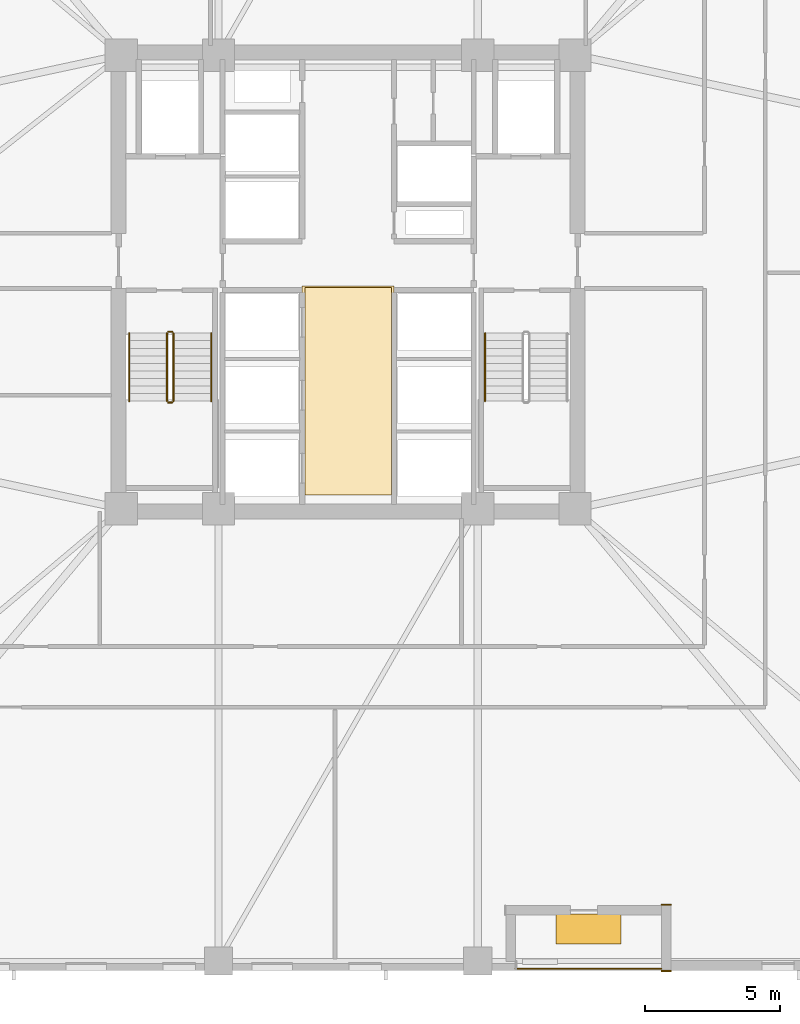
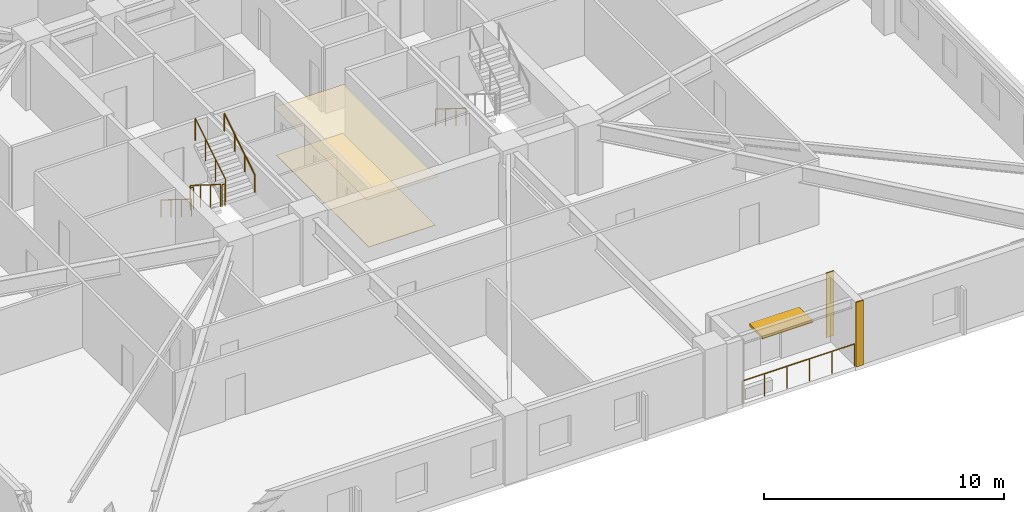
# One storey, part 8 of 11: 8 railings, 4 coverings, 1 shading device.
"""IFC4 building model written with IfcOpenShell, lengths in metres."""

from ifc_helpers import new_model, si_unit, direction, frame, frame_2d, origin, origin_2d, place, context, subcontext, project, spatial, polyline, rectangle, circle, outline, extrude, material, layer, layer_set, type_object, element, save


model = new_model("IFC4")

# Units and contexts
model_context = context("Model", 3, precision=1e-05, world=origin(), true_north=direction((0.0, 1.0)))
body_context = subcontext(model_context, "Body", "Model", "MODEL_VIEW")
ifc_project = project(units=[si_unit("LENGTHUNIT", "METRE"), si_unit("AREAUNIT", "SQUARE_METRE"), si_unit("VOLUMEUNIT", "CUBIC_METRE"), si_unit("PLANEANGLEUNIT", "RADIAN"), si_unit("MASSUNIT", "GRAM", prefix="KILO")], contexts=[model_context])

# Site, building, storey
site_placement = place(None, origin())
site = spatial("IfcSite", under=ifc_project, at=site_placement, CompositionType="ELEMENT")
building_placement = place(site_placement, origin())
building = spatial("IfcBuilding", under=site, at=building_placement, Name="Cairnveth Concourse Tower", CompositionType="ELEMENT")
storey_placement = place(building_placement, frame((0.0, 0.0, 48.0)))
storey = spatial("IfcBuildingStorey", under=building, at=storey_placement, Name="L12", CompositionType="ELEMENT", Elevation=48.0)

# Coverings
ifc_material_1 = material(Name="Acoustic Mineral Fibre Ceiling", Category="gypsum")
ifc_layer_1 = layer(ifc_material_1, 0.02490234375)
ifc_layer_set_1 = layer_set([ifc_layer_1], Name="Acoustic Mineral Fibre Ceiling")
covering_type_1 = type_object("IfcCoveringType", Name="ACOUSTIC MINERAL FIBRE CEILING 25", PredefinedType="CEILING", material=ifc_layer_set_1)
covering_1_placement = place(storey_placement, frame((0.0, 0.0, 2.424072265625)))
element("IfcCovering", 1, at=covering_1_placement, inside=storey, type_object=covering_type_1, Name="Lift Lobby Acoustic Ceiling L12", PredefinedType="CEILING", context=body_context, shape_type="SweptSolid", body=[
    extrude(outline(polyline([(50.300048828125, 31.10009765625), (53.699951171875, 31.10009765625), (53.699951171875, 38.85009765625), (50.300048828125, 38.85009765625), (50.300048828125, 31.10009765625)])), origin(), (0.0, 0.0, 1.0), 0.02490234375),
])
ifc_material_2 = material(Name="Dressed Melbourne Bluestone Cladding", Category="masonry")
ifc_layer_2 = layer(ifc_material_2, 0.050048828125)
ifc_layer_set_2 = layer_set([ifc_layer_2], Name="Dressed Melbourne Bluestone Cladding")
covering_type_2 = type_object("IfcCoveringType", Name="DRESSED BLUESTONE PLINTH CLADDING 50", PredefinedType="CLADDING", material=ifc_layer_set_2)
for number, where, z_axis, x_axis, name in (
    (2, (63.9599609375, 13.47998046875, 0.0), (0.0, 0.0, 1.0), (-1.0, 0.0, 0.0), "Melbourne Bluestone Corner Quoin L12-148"),
    (3, (63.9599609375, 15.929931640625, 0.0), (0.0, 0.0, 1.0), (-1.0, 0.0, 0.0), "Melbourne Bluestone Corner Quoin L12-149"),
):
    element("IfcCovering", number, at=place(storey_placement, frame(where, z_axis=z_axis, x_axis=x_axis)), inside=storey, type_object=covering_type_2, Name=name, PredefinedType="CLADDING", context=body_context, shape_type="SweptSolid", body=[
        extrude(rectangle(XDim=0.35986328125, YDim=0.050048828125, at=frame_2d((0.179931640625, 0.0))), origin(), (0.0, 0.0, 1.0), 3.280029296875),
    ])

# Shading device
ifc_material_3 = material(Name="Architectural Bronze Anodised Aluminium 6063-T6", Category="aluminium")
shading_device_type = type_object("IfcShadingDeviceType", Name="SPIRAL TERRACE SUNSHADE CANOPY", PredefinedType="USERDEFINED", material=ifc_material_3)
shading_device_placement = place(storey_placement, frame((60.89990234375, 15.030029296875, 2.183837890625), z_axis=(0.0, 0.0, 1.0), x_axis=(1.0, 0.0, 0.0)))
element("IfcShadingDevice", 4, at=shading_device_placement, inside=storey, type_object=shading_device_type, Name="Spiral Terrace Sunshade L12", ObjectType="TERRACE SUNSHADE", PredefinedType="USERDEFINED", context=body_context, shape_type="SweptSolid", body=[
    extrude(rectangle(XDim=2.39990234375, YDim=1.10009765625, at=origin_2d()), origin(), (0.0, 0.0, 1.0), 0.1201171875),
])

# Railings
ifc_material_4 = material(Name="Steel Grade 350", Category="steel")
railing_type_1 = type_object("IfcRailingType", Name="STAIR GUARDRAIL 1150", PredefinedType="GUARDRAIL", material=ifc_material_4)
railing_1_placement = place(storey_placement, frame((45.2900390625, 37.10009765625, 0.175048828125)))
element("IfcRailing", 5, at=railing_1_placement, inside=storey, type_object=railing_type_1, Name="L12 ST-1 stair guard 1", PredefinedType="GUARDRAIL", context=body_context, shape_type="SweptSolid", body=[
    extrude(circle(Radius=0.02392578125, at=origin_2d()), frame((0.0, 0.0, 1.1259765625), z_axis=(0.0, -0.848007534815, 0.529984170421), x_axis=(1.0, 0.0, 0.0)), (0.0, 0.0, 1.0), 2.9716796875),
    extrude(circle(Radius=0.02099609375, at=origin_2d()), origin(), (0.0, 0.0, 1.0), 1.101806640625),
    extrude(circle(Radius=0.02099609375, at=origin_2d()), frame((0.0, -0.840087890625, 0.52490234375)), (0.0, 0.0, 1.0), 1.101806640625),
    extrude(circle(Radius=0.02099609375, at=origin_2d()), frame((0.0, -1.679931640625, 1.050048828125)), (0.0, 0.0, 1.0), 1.101806640625),
    extrude(circle(Radius=0.02099609375, at=origin_2d()), frame((0.0, -2.52001953125, 1.574951171875)), (0.0, 0.0, 1.0), 1.101806640625),
])
railing_2_placement = place(storey_placement, frame((45.340087890625, 34.530029296875, 1.75)))
element("IfcRailing", 6, at=railing_2_placement, inside=storey, type_object=railing_type_1, Name="L12 ST-1 stair guard 2", PredefinedType="GUARDRAIL", context=body_context, shape_type="SweptSolid", body=[
    extrude(circle(Radius=0.02392578125, at=origin_2d()), frame((0.0, 0.0, 1.1259765625), z_axis=(1.0, 0.0, 0.0), x_axis=(0.0, 1.0, 0.0)), (0.0, 0.0, 1.0), 0.139892578125),
    extrude(circle(Radius=0.02099609375, at=origin_2d()), origin(), (0.0, 0.0, 1.0), 1.101806640625),
    extrude(circle(Radius=0.02099609375, at=origin_2d()), frame((0.139892578125, 0.0, 0.0)), (0.0, 0.0, 1.0), 1.101806640625),
])
railing_3_placement = place(storey_placement, frame((45.530029296875, 34.580078125, 1.925048828125)))
element("IfcRailing", 7, at=railing_3_placement, inside=storey, type_object=railing_type_1, Name="L12 ST-1 stair guard 3", PredefinedType="GUARDRAIL", context=body_context, shape_type="SweptSolid", body=[
    extrude(circle(Radius=0.02392578125, at=origin_2d()), frame((0.0, 0.0, 1.1259765625), z_axis=(0.0, 0.848007534815, 0.529984170421), x_axis=(-1.0, 0.0, 0.0)), (0.0, 0.0, 1.0), 2.9716796875),
    extrude(circle(Radius=0.02099609375, at=origin_2d()), origin(), (0.0, 0.0, 1.0), 1.101806640625),
    extrude(circle(Radius=0.02099609375, at=origin_2d()), frame((0.0, 0.840087890625, 0.52490234375)), (0.0, 0.0, 1.0), 1.101806640625),
    extrude(circle(Radius=0.02099609375, at=origin_2d()), frame((0.0, 1.679931640625, 1.050048828125)), (0.0, 0.0, 1.0), 1.101806640625),
    extrude(circle(Radius=0.02099609375, at=origin_2d()), frame((0.0, 2.52001953125, 1.574951171875)), (0.0, 0.0, 1.0), 1.101806640625),
])
railing_4_placement = place(storey_placement, frame((45.340087890625, 37.14990234375, 0.0)))
element("IfcRailing", 8, at=railing_4_placement, inside=storey, type_object=railing_type_1, Name="L12 ST-1 stair guard 4", PredefinedType="GUARDRAIL", context=body_context, shape_type="SweptSolid", body=[
    extrude(circle(Radius=0.02392578125, at=origin_2d()), frame((0.0, 0.0, 1.1259765625), z_axis=(1.0, 0.0, 0.0), x_axis=(0.0, 1.0, 0.0)), (0.0, 0.0, 1.0), 0.139892578125),
    extrude(circle(Radius=0.02099609375, at=origin_2d()), origin(), (0.0, 0.0, 1.0), 1.101806640625),
    extrude(circle(Radius=0.02099609375, at=origin_2d()), frame((0.139892578125, 0.0, 0.0)), (0.0, 0.0, 1.0), 1.101806640625),
])
railing_type_2 = type_object("IfcRailingType", Name="STAIR WALL HANDRAIL 900", PredefinedType="HANDRAIL", material=ifc_material_4)
railing_5_placement = place(storey_placement, frame((43.889892578125, 37.10009765625, 0.175048828125)))
element("IfcRailing", 9, at=railing_5_placement, inside=storey, type_object=railing_type_2, Name="L12 ST-1 stair handrail 1", PredefinedType="HANDRAIL", context=body_context, shape_type="SweptSolid", body=[
    extrude(circle(Radius=0.02392578125, at=origin_2d()), frame((0.0, 0.0, 0.8759765625), z_axis=(0.0, -0.848007534815, 0.529984170421), x_axis=(1.0, 0.0, 0.0)), (0.0, 0.0, 1.0), 2.9716796875),
    extrude(circle(Radius=0.02099609375, at=origin_2d()), origin(), (0.0, 0.0, 1.0), 0.851806640625),
    extrude(circle(Radius=0.02099609375, at=origin_2d()), frame((0.0, -0.840087890625, 0.52490234375)), (0.0, 0.0, 1.0), 0.851806640625),
    extrude(circle(Radius=0.02099609375, at=origin_2d()), frame((0.0, -1.679931640625, 1.050048828125)), (0.0, 0.0, 1.0), 0.851806640625),
    extrude(circle(Radius=0.02099609375, at=origin_2d()), frame((0.0, -2.52001953125, 1.574951171875)), (0.0, 0.0, 1.0), 0.851806640625),
])
railing_6_placement = place(storey_placement, frame((46.929931640625, 34.580078125, 1.925048828125)))
element("IfcRailing", 10, at=railing_6_placement, inside=storey, type_object=railing_type_2, Name="L12 ST-1 stair handrail 2", PredefinedType="HANDRAIL", context=body_context, shape_type="SweptSolid", body=[
    extrude(circle(Radius=0.02392578125, at=origin_2d()), frame((0.0, 0.0, 0.8759765625), z_axis=(0.0, 0.848007534815, 0.529984170421), x_axis=(-1.0, 0.0, 0.0)), (0.0, 0.0, 1.0), 2.9716796875),
    extrude(circle(Radius=0.02099609375, at=origin_2d()), origin(), (0.0, 0.0, 1.0), 0.851806640625),
    extrude(circle(Radius=0.02099609375, at=origin_2d()), frame((0.0, 0.840087890625, 0.52490234375)), (0.0, 0.0, 1.0), 0.851806640625),
    extrude(circle(Radius=0.02099609375, at=origin_2d()), frame((0.0, 1.679931640625, 1.050048828125)), (0.0, 0.0, 1.0), 0.851806640625),
    extrude(circle(Radius=0.02099609375, at=origin_2d()), frame((0.0, 2.52001953125, 1.574951171875)), (0.0, 0.0, 1.0), 0.851806640625),
])
railing_7_placement = place(storey_placement, frame((57.070068359375, 37.10009765625, 0.175048828125)))
element("IfcRailing", 11, at=railing_7_placement, inside=storey, type_object=railing_type_2, Name="L12 ST-2 stair handrail 1", PredefinedType="HANDRAIL", context=body_context, shape_type="SweptSolid", body=[
    extrude(circle(Radius=0.02392578125, at=origin_2d()), frame((0.0, 0.0, 0.8759765625), z_axis=(0.0, -0.848007534815, 0.529984170421), x_axis=(1.0, 0.0, 0.0)), (0.0, 0.0, 1.0), 2.9716796875),
    extrude(circle(Radius=0.02099609375, at=origin_2d()), origin(), (0.0, 0.0, 1.0), 0.851806640625),
    extrude(circle(Radius=0.02099609375, at=origin_2d()), frame((0.0, -0.840087890625, 0.52490234375)), (0.0, 0.0, 1.0), 0.851806640625),
    extrude(circle(Radius=0.02099609375, at=origin_2d()), frame((0.0, -1.679931640625, 1.050048828125)), (0.0, 0.0, 1.0), 0.851806640625),
    extrude(circle(Radius=0.02099609375, at=origin_2d()), frame((0.0, -2.52001953125, 1.574951171875)), (0.0, 0.0, 1.0), 0.851806640625),
])
railing_type_3 = type_object("IfcRailingType", Name="TERRACE BRONZE BALUSTRADE 1150", PredefinedType="BALUSTRADE", material=ifc_material_3)
railing_8_placement = place(storey_placement, frame((58.199951171875, 13.56005859375, 0.0)))
element("IfcRailing", 12, at=railing_8_placement, inside=storey, type_object=railing_type_3, Name="Terrace Balustrade RL-L12-TERR", PredefinedType="BALUSTRADE", context=body_context, shape_type="SweptSolid", body=[
    extrude(circle(Radius=0.02490234375, at=origin_2d()), frame((0.0, 0.0, 1.125), z_axis=(1.0, 0.0, 0.0), x_axis=(0.0, 1.0, 0.0)), (0.0, 0.0, 1.0), 5.400146484375),
    extrude(circle(Radius=0.02099609375, at=origin_2d()), origin(), (0.0, 0.0, 1.0), 1.099853515625),
    extrude(circle(Radius=0.02099609375, at=origin_2d()), frame((1.080078125, 0.0, 0.0)), (0.0, 0.0, 1.0), 1.099853515625),
    extrude(circle(Radius=0.02099609375, at=origin_2d()), frame((2.16015625, 0.0, 0.0)), (0.0, 0.0, 1.0), 1.099853515625),
    extrude(circle(Radius=0.02099609375, at=origin_2d()), frame((3.239990234375, 0.0, 0.0)), (0.0, 0.0, 1.0), 1.099853515625),
    extrude(circle(Radius=0.02099609375, at=origin_2d()), frame((4.320068359375, 0.0, 0.0)), (0.0, 0.0, 1.0), 1.099853515625),
    extrude(circle(Radius=0.02099609375, at=origin_2d()), frame((5.400146484375, 0.0, 0.0)), (0.0, 0.0, 1.0), 1.099853515625),
])

# Covering
ifc_material_5 = material(Name="Vitrified Stoneware Tile Flooring", Category="masonry")
ifc_layer_3 = layer(ifc_material_5, 0.02001953125)
ifc_layer_set_3 = layer_set([ifc_layer_3], Name="Vitrified Stoneware Tile Flooring")
covering_type_3 = type_object("IfcCoveringType", Name="VITRIFIED STONEWARE LOBBY FLOORING 20", PredefinedType="FLOORING", material=ifc_layer_set_3)
covering_2_placement = place(storey_placement, origin())
element("IfcCovering", 13, at=covering_2_placement, inside=storey, type_object=covering_type_3, Name="Lift Lobby Stoneware Flooring L12", PredefinedType="FLOORING", context=body_context, shape_type="SweptSolid", body=[
    extrude(outline(polyline([(50.39990234375, 31.10009765625), (53.60009765625, 31.10009765625), (53.60009765625, 38.800048828125), (50.39990234375, 38.800048828125), (50.39990234375, 31.10009765625)])), origin(), (0.0, 0.0, 1.0), 0.02001953125),
])

save(model, "model.ifc")
